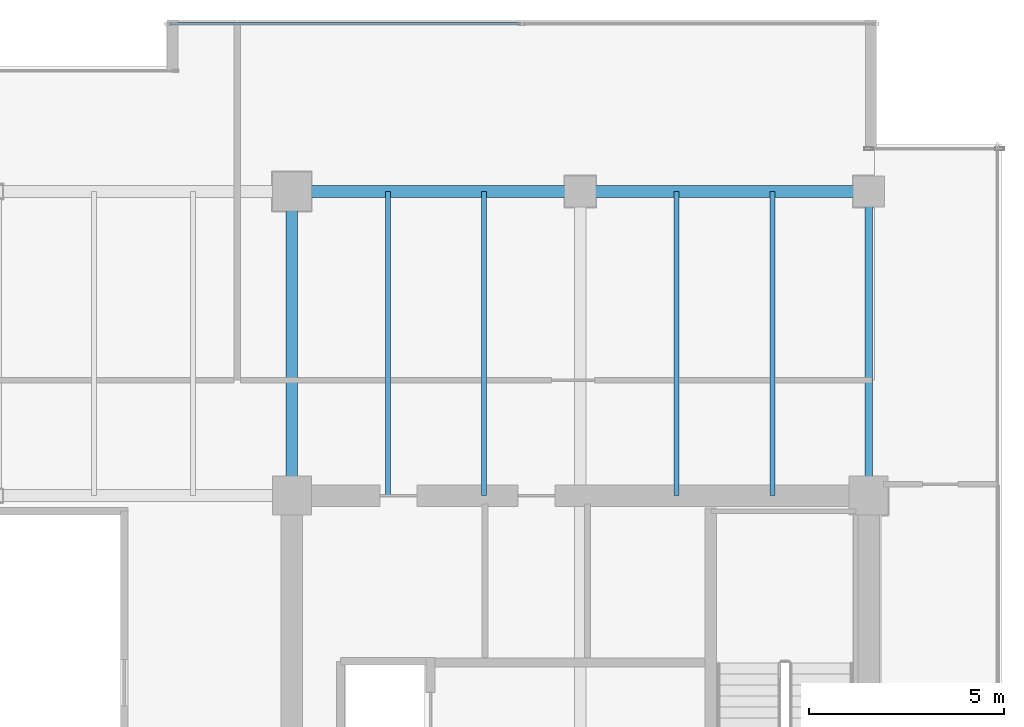
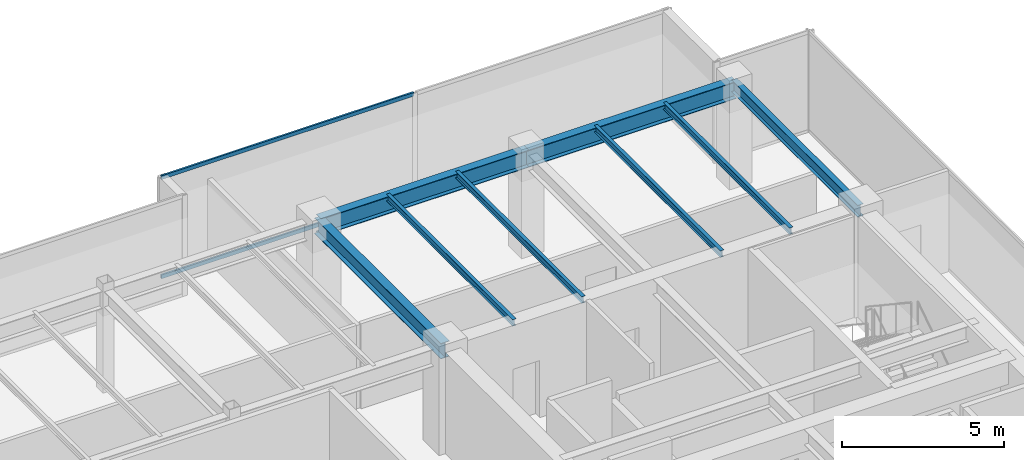
# One storey, part 20 of 36: 8 beams, 2 members, 1 element without a shape of its own.
"""IFC4 building model written with IfcOpenShell, lengths in metres."""

from ifc_helpers import new_model, si_unit, direction, frame, origin, origin_2d, place, context, subcontext, project, spatial, hollow_rectangle, i_section, extrude, source, transform, mapped, material, layer, layer_set, material_profile, profile_set, type_object, type_shapes, element, aggregate, save


model = new_model("IFC4")

# Units and contexts
model_context = context("Model", 3, precision=1e-05, world=origin(), true_north=direction((0.0, 1.0)))
body_context = subcontext(model_context, "Body", "Model", "MODEL_VIEW")
ifc_project = project(units=[si_unit("LENGTHUNIT", "METRE"), si_unit("AREAUNIT", "SQUARE_METRE"), si_unit("VOLUMEUNIT", "CUBIC_METRE"), si_unit("PLANEANGLEUNIT", "RADIAN"), si_unit("MASSUNIT", "GRAM", prefix="KILO")], contexts=[model_context])

# Site, building, storey
site_placement = place(None, origin())
site = spatial("IfcSite", under=ifc_project, at=site_placement, CompositionType="ELEMENT")
building_placement = place(site_placement, origin())
building = spatial("IfcBuilding", under=site, at=building_placement, Name="Haelvirn Gate Laboratories", CompositionType="ELEMENT")
storey_placement = place(building_placement, frame((0.0, 0.0, 262.89990234375)))
storey = spatial("IfcBuildingStorey", under=building, at=storey_placement, Name="L63", CompositionType="ELEMENT", Elevation=262.89990234375)

# Beams
ifc_material_1 = material(Name="Steel SM355", Category="steel")
ifc_material_profile_1 = material_profile(ifc_material_1, i_section(OverallWidth=0.300048828125, OverallDepth=0.587890625, WebThickness=0.011962890625, FlangeThickness=0.02001953125, at=origin_2d()), Name="H-588x300x12x20")
ifc_profile_set_1 = profile_set([ifc_material_profile_1], Name="Steel SM355")
beam_type_1 = type_object("IfcBeamType", Name="BM-G-588", PredefinedType="BEAM", material=ifc_profile_set_1)
shared_shape_1 = source(origin(), body_context, "Body", "SweptSolid", [
    extrude(i_section(OverallWidth=0.300048828125, OverallDepth=0.587890625, WebThickness=0.011962890625, FlangeThickness=0.02001953125, at=origin_2d()), origin(), (0.0, 0.0, 1.0), 7.800048828125),
])
type_shapes(beam_type_1, [shared_shape_1])
beam_1_placement = place(storey_placement, frame((52.60009765625, 33.800048828125, 3.506103515625), z_axis=(0.0, 1.0, 0.0), x_axis=(-1.0, 0.0, 0.0)))
element("IfcBeam", 1, at=beam_1_placement, inside=storey, type_object=beam_type_1, Name="L63 Frame Girder X52.6 (33.8-41.6)", PredefinedType="BEAM", context=body_context, shape_type="MappedRepresentation", body=[
    mapped(shared_shape_1, transform((0.0, 0.0, 0.0), scale=1.0)),
])
ifc_material_profile_2 = material_profile(ifc_material_1, i_section(OverallWidth=0.300048828125, OverallDepth=0.64990234375, WebThickness=0.012939453125, FlangeThickness=0.02197265625, at=origin_2d()), Name="H-650x300x13x22")
ifc_profile_set_2 = profile_set([ifc_material_profile_2], Name="Steel SM355")
beam_type_2 = type_object("IfcBeamType", Name="BM-G-650", PredefinedType="BEAM", material=ifc_profile_set_2)
shared_shape_2 = source(origin(), body_context, "Body", "SweptSolid", [
    extrude(i_section(OverallWidth=0.300048828125, OverallDepth=0.64990234375, WebThickness=0.012939453125, FlangeThickness=0.02197265625, at=origin_2d()), origin(), (0.0, 0.0, 1.0), 7.39990234375),
])
type_shapes(beam_type_2, [shared_shape_2])
for number, where, z_axis, x_axis, name in (
    (2, (52.60009765625, 41.60009765625, 3.47509765625), (1.0, 0.0, 0.0), (0.0, 1.0, 0.0), "L63 Primary Girder Y41.6 (52.6-60.0)"),
    (3, (60.0, 41.60009765625, 3.47509765625), (1.0, 0.0, 0.0), (0.0, 1.0, 0.0), "L63 Primary Girder Y41.6 (60.0-67.4)"),
):
    element("IfcBeam", number, at=place(storey_placement, frame(where, z_axis=z_axis, x_axis=x_axis)), inside=storey, type_object=beam_type_2, Name=name, PredefinedType="BEAM", context=body_context, shape_type="MappedRepresentation", body=[
        mapped(shared_shape_2, transform((0.0, 0.0, 0.0), scale=1.0)),
    ])
ifc_material_profile_3 = material_profile(ifc_material_1, i_section(OverallWidth=0.199951171875, OverallDepth=0.449951171875, WebThickness=0.009033203125, FlangeThickness=0.013916015625, at=origin_2d()), Name="H-450x200x9x14")
ifc_profile_set_3 = profile_set([ifc_material_profile_3], Name="Steel SM355")
beam_type_3 = type_object("IfcBeamType", Name="BM-SP-450", PredefinedType="SPANDREL", material=ifc_profile_set_3)
shared_shape_3 = source(origin(), body_context, "Body", "SweptSolid", [
    extrude(i_section(OverallWidth=0.199951171875, OverallDepth=0.449951171875, WebThickness=0.009033203125, FlangeThickness=0.013916015625, at=origin_2d()), origin(), (0.0, 0.0, 1.0), 7.800048828125),
])
type_shapes(beam_type_3, [shared_shape_3])
beam_2_placement = place(storey_placement, frame((67.39990234375, 33.800048828125, 3.5751953125), z_axis=(0.0, 1.0, 0.0), x_axis=(-1.0, 0.0, 0.0)))
element("IfcBeam", 4, at=beam_2_placement, inside=storey, type_object=beam_type_3, Name="L63 Perimeter Spandrel X67.4 (33.8-41.6)", PredefinedType="SPANDREL", context=body_context, shape_type="MappedRepresentation", body=[
    mapped(shared_shape_3, transform((0.0, 0.0, 0.0), scale=1.0)),
])
ifc_material_profile_4 = material_profile(ifc_material_1, i_section(OverallWidth=0.125, OverallDepth=0.25, WebThickness=0.006103515625, FlangeThickness=0.009033203125, at=origin_2d()), Name="H-250x125x6x9")
ifc_profile_set_4 = profile_set([ifc_material_profile_4], Name="Steel SM355")
beam_type_4 = type_object("IfcBeamType", Name="BM-J-250", PredefinedType="JOIST", material=ifc_profile_set_4)
shared_shape_4 = source(origin(), body_context, "Body", "SweptSolid", [
    extrude(i_section(OverallWidth=0.125, OverallDepth=0.25, WebThickness=0.006103515625, FlangeThickness=0.009033203125, at=origin_2d()), origin(), (0.0, 0.0, 1.0), 7.800048828125),
])
type_shapes(beam_type_4, [shared_shape_4])
for number, where, z_axis, x_axis, name in (
    (5, (55.070068359375, 33.800048828125, 3.675048828125), (0.0, 1.0, 0.0), (-1.0, 0.0, 0.0), "L63 Composite Lab Joist North X55.07"),
    (6, (57.530029296875, 33.800048828125, 3.675048828125), (0.0, 1.0, 0.0), (-1.0, 0.0, 0.0), "L63 Composite Lab Joist North X57.53"),
    (7, (62.469970703125, 33.800048828125, 3.675048828125), (0.0, 1.0, 0.0), (-1.0, 0.0, 0.0), "L63 Composite Lab Joist North X62.47"),
    (8, (64.929931640625, 33.800048828125, 3.675048828125), (0.0, 1.0, 0.0), (-1.0, 0.0, 0.0), "L63 Composite Lab Joist North X64.93"),
):
    element("IfcBeam", number, at=place(storey_placement, frame(where, z_axis=z_axis, x_axis=x_axis)), inside=storey, type_object=beam_type_4, Name=name, PredefinedType="JOIST", context=body_context, shape_type="MappedRepresentation", body=[
        mapped(shared_shape_4, transform((0.0, 0.0, 0.0), scale=1.0)),
    ])

# Curtain wall, members
ifc_material_2 = material(Name="Anodised bronze unitised aluminium & triple low-E glass", Category="aluminium")
ifc_layer = layer(ifc_material_2, 0.176025390625, Name="CW-SYS-4")
ifc_layer_set = layer_set([ifc_layer], Name="Anodised bronze unitised aluminium & triple low-E glass")
curtain_wall_type = type_object("IfcCurtainWallType", Name="CW-SYS-4", PredefinedType="NOTDEFINED", material=ifc_layer_set)
curtain_wall_placement = place(storey_placement, origin())
curtain_wall = element("IfcCurtainWall", 9, at=curtain_wall_placement, inside=storey, type_object=curtain_wall_type, Name="L63 Unitised Curtain Wall CW-L63-P0-E10-1", PredefinedType="NOTDEFINED")
ifc_material_3 = material(Name="Extruded aluminium 6063-T6 (anodised bronze)", Category="aluminium")
ifc_material_profile_5 = material_profile(ifc_material_3, hollow_rectangle(XDim=0.06494140625, YDim=0.139892578125, WallThickness=0.00390625, at=origin_2d()), Name="CWT-140x65x4")
ifc_profile_set_5 = profile_set([ifc_material_profile_5], Name="Extruded aluminium 6063-T6 (anodised bronze)")
member_type = type_object("IfcMemberType", Name="CWT-T140", PredefinedType="USERDEFINED", material=ifc_profile_set_5)
shared_shape_5 = source(origin(), body_context, "Body", "SweptSolid", [
    extrude(hollow_rectangle(XDim=0.06494140625, YDim=0.139892578125, WallThickness=0.00390625, at=origin_2d()), origin(), (0.0, 0.0, 1.0), 8.9951171875),
])
type_shapes(member_type, [shared_shape_5])
member_1_placement = place(storey_placement, frame((49.469970703125, 45.89990234375, 0.03271484375), z_axis=(1.0, 0.0, 0.0), x_axis=(0.0, 1.0, 0.0)))
member_1 = element("IfcMember", 10, at=member_1_placement, type_object=member_type, Name="CW4 transom 1.1", ObjectType="TRANSOM", PredefinedType="USERDEFINED", context=body_context, shape_type="MappedRepresentation", body=[
    mapped(shared_shape_5, transform((0.0, 0.0, 0.0), scale=1.0)),
])
member_2_placement = place(storey_placement, frame((49.469970703125, 45.89990234375, 3.767578125), z_axis=(1.0, 0.0, 0.0), x_axis=(0.0, 1.0, 0.0)))
member_2 = element("IfcMember", 11, at=member_2_placement, type_object=member_type, Name="CW4 transom 1.2", ObjectType="TRANSOM", PredefinedType="USERDEFINED", context=body_context, shape_type="MappedRepresentation", body=[
    mapped(shared_shape_5, transform((0.0, 0.0, 0.0), scale=1.0)),
])
aggregate(curtain_wall, [member_1, member_2])

save(model, "model.ifc")
